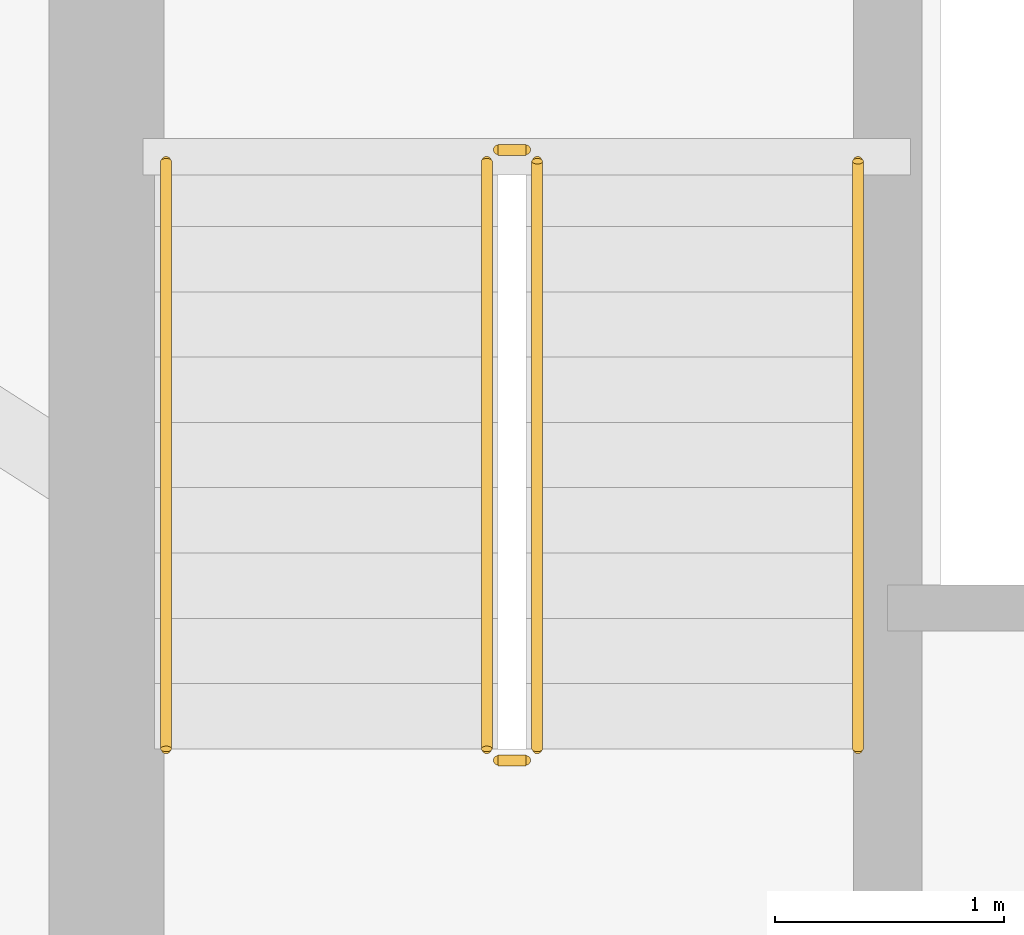
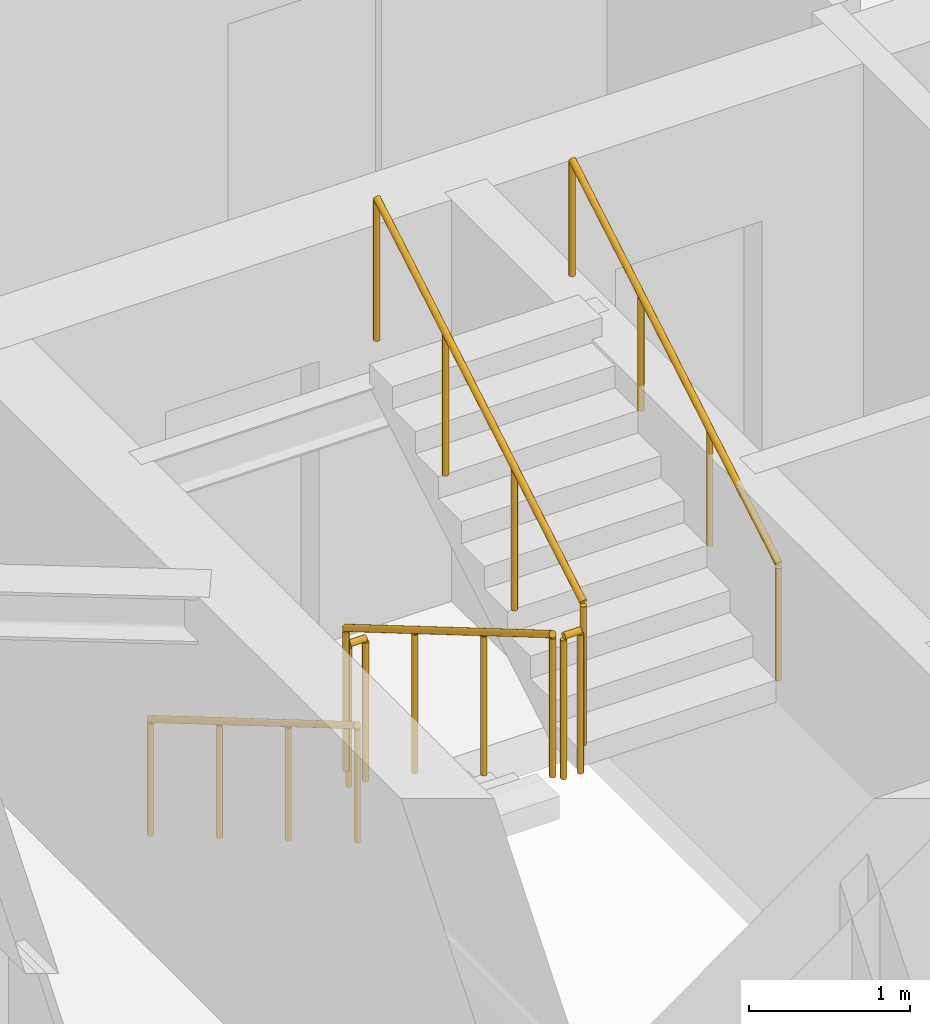
# One storey, part 11 of 12: 6 railings.
"""IFC4 building model written with IfcOpenShell, lengths in metres."""

from ifc_helpers import new_model, si_unit, direction, frame, origin, origin_2d, place, context, subcontext, project, spatial, circle, extrude, material, type_object, element, save


model = new_model("IFC4")

# Units and contexts
model_context = context("Model", 3, precision=1e-05, world=origin(), true_north=direction((0.0, 1.0)))
body_context = subcontext(model_context, "Body", "Model", "MODEL_VIEW")
ifc_project = project(units=[si_unit("LENGTHUNIT", "METRE"), si_unit("AREAUNIT", "SQUARE_METRE"), si_unit("VOLUMEUNIT", "CUBIC_METRE"), si_unit("PLANEANGLEUNIT", "RADIAN"), si_unit("MASSUNIT", "GRAM", prefix="KILO")], contexts=[model_context])

# Site, building, storey
site_placement = place(None, origin())
site = spatial("IfcSite", under=ifc_project, at=site_placement, CompositionType="ELEMENT")
building_placement = place(site_placement, origin())
building = spatial("IfcBuilding", under=site, at=building_placement, Name="Qobustan Lattice House", CompositionType="ELEMENT")
storey_placement = place(building_placement, frame((0.0, 0.0, 183.0)))
storey = spatial("IfcBuildingStorey", under=building, at=storey_placement, Name="L51", CompositionType="ELEMENT", Elevation=183.0)

# Railings
ifc_material_1 = material(Name="Brushed stainless steel handrail", Category="steel")
railing_type_1 = type_object("IfcRailingType", Name="RAL-HR-920", PredefinedType="HANDRAIL", material=ifc_material_1)
railing_1_placement = place(storey_placement, frame((-18.199951171875, 3.5, 0.16748046875)))
element("IfcRailing", 1, at=railing_1_placement, inside=storey, type_object=railing_type_1, Name="L51 ST-W1 stair handrail 1", PredefinedType="HANDRAIL", context=body_context, shape_type="SweptSolid", body=[
    extrude(circle(Radius=0.02392578125, at=origin_2d()), frame((0.0, 0.0, 0.8759765625), z_axis=(0.0, -0.862113467892, 0.50671527358), x_axis=(1.0, 0.0, 0.0)), (0.0, 0.0, 1.0), 2.97509765625),
    extrude(circle(Radius=0.02099609375, at=origin_2d()), origin(), (0.0, 0.0, 1.0), 0.851806640625),
    extrude(circle(Radius=0.02099609375, at=origin_2d()), frame((0.0, -0.85498046875, 0.50244140625)), (0.0, 0.0, 1.0), 0.851806640625),
    extrude(circle(Radius=0.02099609375, at=origin_2d()), frame((0.0, -1.7099609375, 1.005126953125)), (0.0, 0.0, 1.0), 0.851806640625),
    extrude(circle(Radius=0.02099609375, at=origin_2d()), frame((0.0, -2.56494140625, 1.507568359375)), (0.0, 0.0, 1.0), 0.851806640625),
])
railing_2_placement = place(storey_placement, frame((-15.179931640625, 0.93505859375, 1.842529296875)))
element("IfcRailing", 2, at=railing_2_placement, inside=storey, type_object=railing_type_1, Name="L51 ST-W1 stair handrail 2", PredefinedType="HANDRAIL", context=body_context, shape_type="SweptSolid", body=[
    extrude(circle(Radius=0.02392578125, at=origin_2d()), frame((0.0, 0.0, 0.8759765625), z_axis=(0.0, 0.862113467892, 0.50671527358), x_axis=(-1.0, 0.0, 0.0)), (0.0, 0.0, 1.0), 2.97509765625),
    extrude(circle(Radius=0.02099609375, at=origin_2d()), origin(), (0.0, 0.0, 1.0), 0.851806640625),
    extrude(circle(Radius=0.02099609375, at=origin_2d()), frame((0.0, 0.85498046875, 0.50244140625)), (0.0, 0.0, 1.0), 0.851806640625),
    extrude(circle(Radius=0.02099609375, at=origin_2d()), frame((0.0, 1.7099609375, 1.005126953125)), (0.0, 0.0, 1.0), 0.851806640625),
    extrude(circle(Radius=0.02099609375, at=origin_2d()), frame((0.0, 2.56494140625, 1.507568359375)), (0.0, 0.0, 1.0), 0.851806640625),
])
ifc_material_2 = material(Name="Painted galvanized steel guardrail", Category="steel")
railing_type_2 = type_object("IfcRailingType", Name="RAL-STG-1150", PredefinedType="GUARDRAIL", material=ifc_material_2)
railing_3_placement = place(storey_placement, frame((-16.800048828125, 3.5, 0.16748046875)))
element("IfcRailing", 3, at=railing_3_placement, inside=storey, type_object=railing_type_2, Name="L51 ST-W1 stair guard 1", PredefinedType="GUARDRAIL", context=body_context, shape_type="SweptSolid", body=[
    extrude(circle(Radius=0.02392578125, at=origin_2d()), frame((0.0, 0.0, 1.076171875), z_axis=(0.0, -0.862113467892, 0.50671527358), x_axis=(1.0, 0.0, 0.0)), (0.0, 0.0, 1.0), 2.97509765625),
    extrude(circle(Radius=0.02099609375, at=origin_2d()), origin(), (0.0, 0.0, 1.0), 1.052001953125),
    extrude(circle(Radius=0.02099609375, at=origin_2d()), frame((0.0, -0.85498046875, 0.50244140625)), (0.0, 0.0, 1.0), 1.052001953125),
    extrude(circle(Radius=0.02099609375, at=origin_2d()), frame((0.0, -1.7099609375, 1.005126953125)), (0.0, 0.0, 1.0), 1.052001953125),
    extrude(circle(Radius=0.02099609375, at=origin_2d()), frame((0.0, -2.56494140625, 1.507568359375)), (0.0, 0.0, 1.0), 1.052001953125),
])
railing_4_placement = place(storey_placement, frame((-16.75, 0.885009765625, 1.675048828125)))
element("IfcRailing", 4, at=railing_4_placement, inside=storey, type_object=railing_type_2, Name="L51 ST-W1 stair guard 2", PredefinedType="GUARDRAIL", context=body_context, shape_type="SweptSolid", body=[
    extrude(circle(Radius=0.02392578125, at=origin_2d()), frame((0.0, 0.0, 1.076171875), z_axis=(1.0, 0.0, 0.0), x_axis=(0.0, 1.0, 0.0)), (0.0, 0.0, 1.0), 0.1201171875),
    extrude(circle(Radius=0.02099609375, at=origin_2d()), origin(), (0.0, 0.0, 1.0), 1.052001953125),
    extrude(circle(Radius=0.02099609375, at=origin_2d()), frame((0.1201171875, 0.0, 0.0)), (0.0, 0.0, 1.0), 1.052001953125),
])
railing_5_placement = place(storey_placement, frame((-16.580078125, 0.93505859375, 1.842529296875)))
element("IfcRailing", 5, at=railing_5_placement, inside=storey, type_object=railing_type_2, Name="L51 ST-W1 stair guard 3", PredefinedType="GUARDRAIL", context=body_context, shape_type="SweptSolid", body=[
    extrude(circle(Radius=0.02392578125, at=origin_2d()), frame((0.0, 0.0, 1.076171875), z_axis=(0.0, 0.862113467892, 0.50671527358), x_axis=(-1.0, 0.0, 0.0)), (0.0, 0.0, 1.0), 2.97509765625),
    extrude(circle(Radius=0.02099609375, at=origin_2d()), origin(), (0.0, 0.0, 1.0), 1.052001953125),
    extrude(circle(Radius=0.02099609375, at=origin_2d()), frame((0.0, 0.85498046875, 0.50244140625)), (0.0, 0.0, 1.0), 1.052001953125),
    extrude(circle(Radius=0.02099609375, at=origin_2d()), frame((0.0, 1.7099609375, 1.005126953125)), (0.0, 0.0, 1.0), 1.052001953125),
    extrude(circle(Radius=0.02099609375, at=origin_2d()), frame((0.0, 2.56494140625, 1.507568359375)), (0.0, 0.0, 1.0), 1.052001953125),
])
railing_6_placement = place(storey_placement, frame((-16.75, 3.550048828125, 0.0)))
element("IfcRailing", 6, at=railing_6_placement, inside=storey, type_object=railing_type_2, Name="L51 ST-W1 stair guard 4", PredefinedType="GUARDRAIL", context=body_context, shape_type="SweptSolid", body=[
    extrude(circle(Radius=0.02392578125, at=origin_2d()), frame((0.0, 0.0, 1.076171875), z_axis=(1.0, 0.0, 0.0), x_axis=(0.0, 1.0, 0.0)), (0.0, 0.0, 1.0), 0.1201171875),
    extrude(circle(Radius=0.02099609375, at=origin_2d()), origin(), (0.0, 0.0, 1.0), 1.052001953125),
    extrude(circle(Radius=0.02099609375, at=origin_2d()), frame((0.1201171875, 0.0, 0.0)), (0.0, 0.0, 1.0), 1.052001953125),
])

save(model, "model.ifc")
